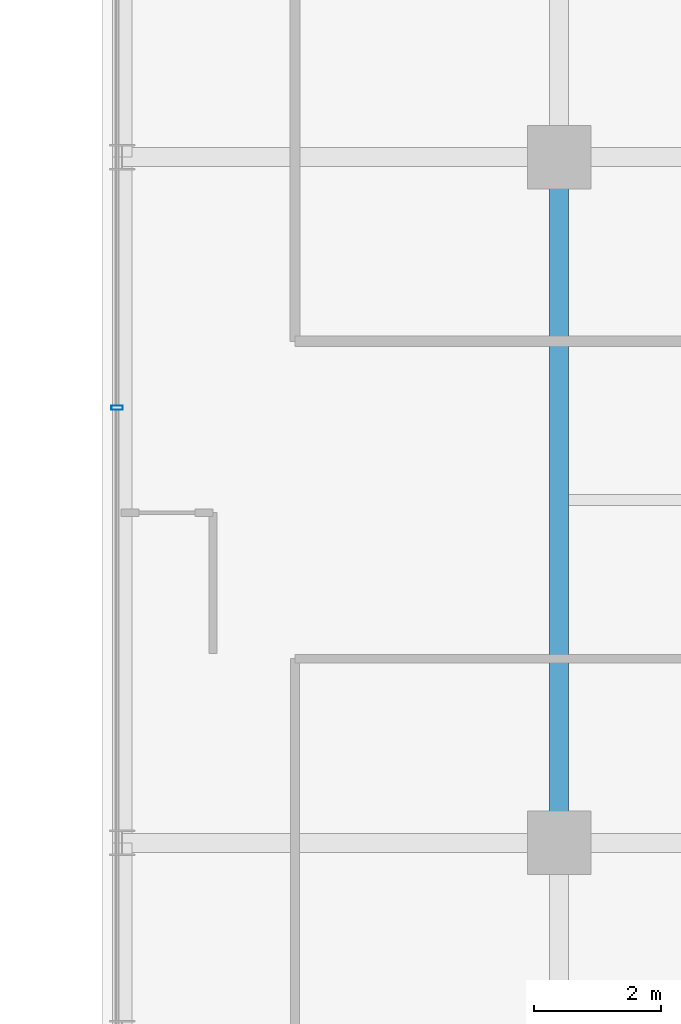
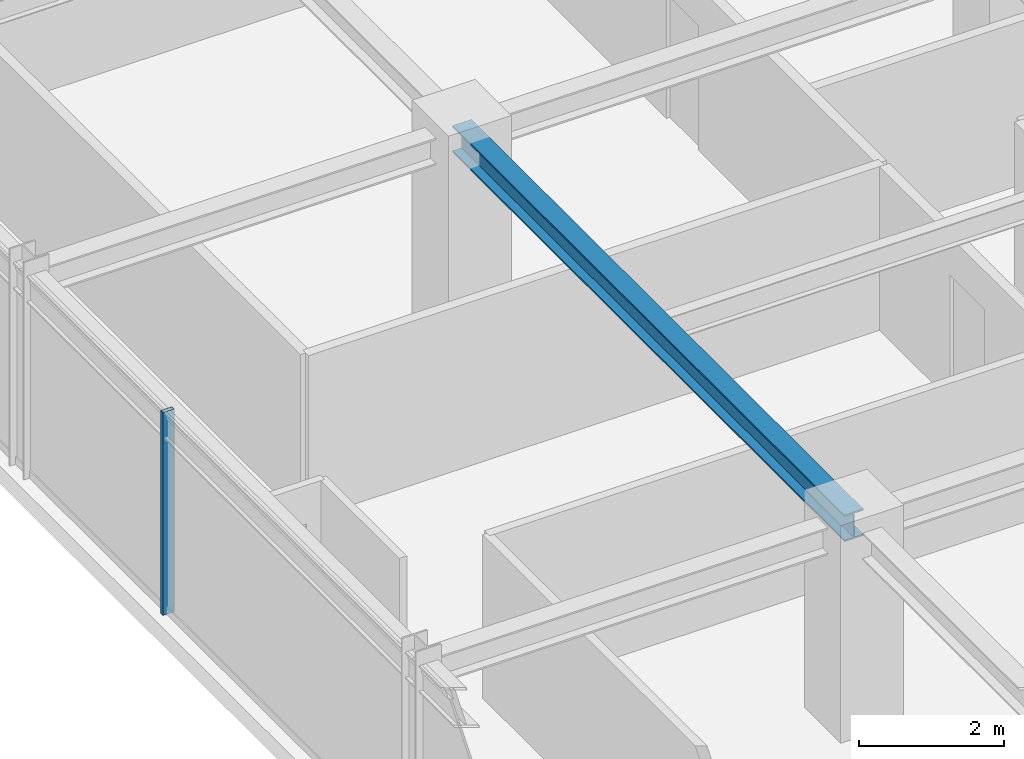
# One storey, part 10 of 35: 1 beam, 1 member, 1 element without a shape of its own.
"""IFC4 building model written with IfcOpenShell, lengths in metres."""

from ifc_helpers import new_model, si_unit, direction, frame, origin, origin_2d, place, context, subcontext, project, spatial, hollow_rectangle, i_section, extrude, source, transform, mapped, material, material_profile, profile_set, type_object, element, aggregate, save


model = new_model("IFC4")

# Units and contexts
model_context = context("Model", 3, precision=1e-05, world=origin(), true_north=direction((0.0, 1.0)))
body_context = subcontext(model_context, "Body", "Model", "MODEL_VIEW")
ifc_project = project(units=[si_unit("LENGTHUNIT", "METRE"), si_unit("AREAUNIT", "SQUARE_METRE"), si_unit("VOLUMEUNIT", "CUBIC_METRE"), si_unit("PLANEANGLEUNIT", "RADIAN"), si_unit("MASSUNIT", "GRAM", prefix="KILO")], contexts=[model_context])

# Site, building, storey
site_placement = place(None, origin())
site = spatial("IfcSite", under=ifc_project, at=site_placement, CompositionType="ELEMENT")
building_placement = place(site_placement, origin())
building = spatial("IfcBuilding", under=site, at=building_placement, Name="Nahalor Promenade Grand Hotel", CompositionType="ELEMENT")
storey_placement = place(building_placement, frame((0.0, 0.0, 245.60009765625)))
storey = spatial("IfcBuildingStorey", under=building, at=storey_placement, Name="L63", CompositionType="ELEMENT", Elevation=245.60009765625)

# Beam
ifc_material_1 = material(Name="Steel S355JR", Category="steel")
ifc_material_profile_1 = material_profile(ifc_material_1, i_section(OverallWidth=0.3, OverallDepth=0.45, WebThickness=0.014, FlangeThickness=0.026, at=origin_2d()), Name="HEB 450")
ifc_profile_set_1 = profile_set([ifc_material_profile_1], Name="Steel S355JR")
beam_type = type_object("IfcBeamType", Name="Beam-Girder-HEB450", PredefinedType="BEAM", material=ifc_profile_set_1)
shared_shape_1 = source(origin(), body_context, "Body", "SweptSolid", [
    extrude(i_section(OverallWidth=0.3, OverallDepth=0.45, WebThickness=0.014, FlangeThickness=0.026, at=origin_2d()), origin(), (0.0, 0.0, 1.0), 10.7998046875),
])
beam_placement = place(storey_placement, frame((-17.0, -5.39990234375, 3.184814453125), z_axis=(0.0, 1.0, 0.0), x_axis=(-1.0, 0.0, 0.0)))
element("IfcBeam", 1, at=beam_placement, inside=storey, type_object=beam_type, Name="BM-L63-GY-0-2", PredefinedType="BEAM", context=body_context, shape_type="MappedRepresentation", body=[
    mapped(shared_shape_1, transform((0.0, 0.0, 0.0), scale=1.0)),
])

# Curtain wall, member
ifc_material_2 = material(Name="Anodised Bronze Aluminium EN AW-6063 T6", Category="aluminium")
curtain_wall_type = type_object("IfcCurtainWallType", Name="CW2 Typical Hotel Flush Bronze Unitised Curtain Wall", PredefinedType="USERDEFINED", material=ifc_material_2)
curtain_wall_placement = place(storey_placement, origin())
curtain_wall = element("IfcCurtainWall", 2, at=curtain_wall_placement, inside=storey, type_object=curtain_wall_type, Name="L63 Curtain Wall CW-L63-W-3", ObjectType="UNITISED_CURTAIN_WALL", PredefinedType="USERDEFINED")
ifc_material_profile_2 = material_profile(ifc_material_2, hollow_rectangle(XDim=0.065, YDim=0.18, WallThickness=0.004, at=origin_2d()), Name="CWM 65x180x4")
ifc_profile_set_2 = profile_set([ifc_material_profile_2], Name="Anodised Bronze Aluminium EN AW-6063 T6")
member_type = type_object("IfcMemberType", Name="CWM2 Typical Bronze Mullion 65x180", PredefinedType="MULLION", material=ifc_profile_set_2)
shared_shape_2 = source(origin(), body_context, "Body", "SweptSolid", [
    extrude(hollow_rectangle(XDim=0.065, YDim=0.18, WallThickness=0.004, at=origin_2d()), origin(), (0.0, 0.0, 1.0), 3.409912109375),
])
member_placement = place(storey_placement, frame((-23.9599609375, 1.453369140625, 0.0), z_axis=(0.0, 0.0, 1.0), x_axis=(0.0, 1.0, 0.0)))
member = element("IfcMember", 3, at=member_placement, type_object=member_type, Name="CW-L63-W-3 Mullion 1", PredefinedType="MULLION", context=body_context, shape_type="MappedRepresentation", body=[
    mapped(shared_shape_2, transform((0.0, 0.0, 0.0), scale=1.0)),
])
aggregate(curtain_wall, [member])

save(model, "model.ifc")
